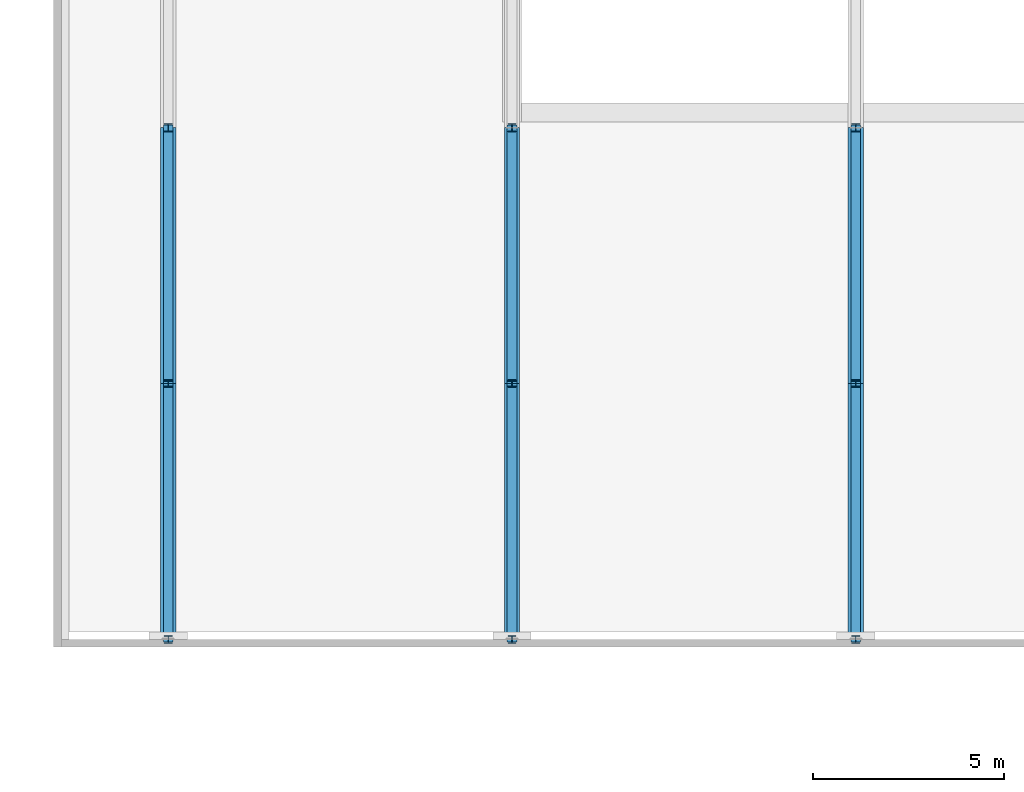
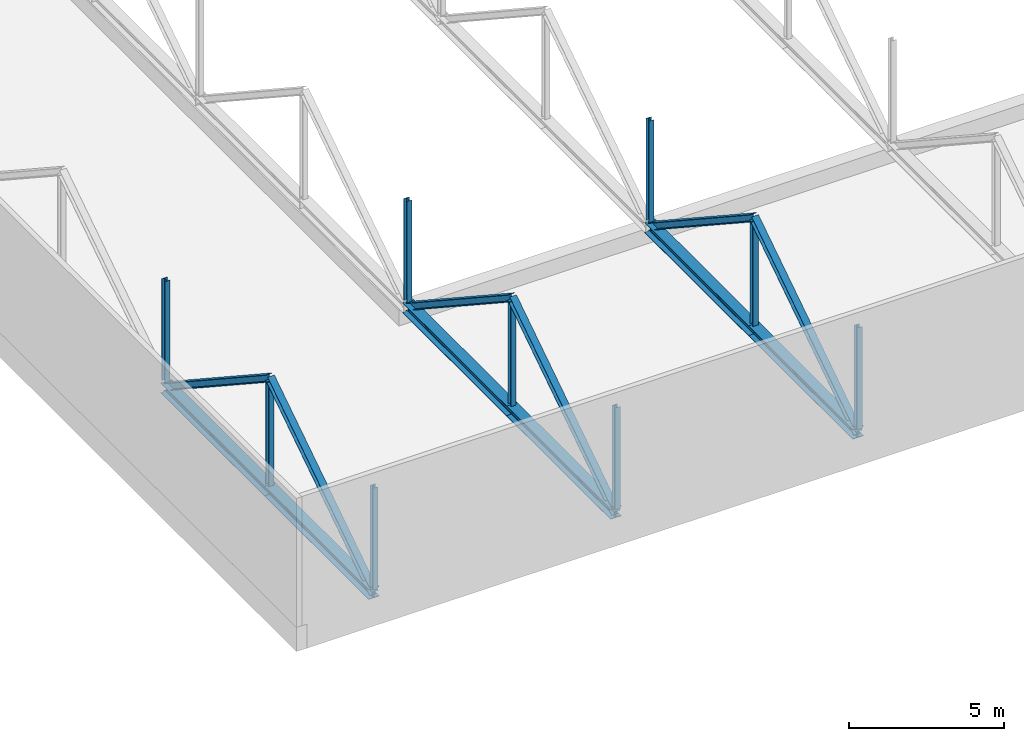
# One storey, part 7 of 49: 21 members.
"""IFC4 building model written with IfcOpenShell, lengths in metres."""

from ifc_helpers import new_model, si_unit, direction, frame, origin, origin_2d, place, context, subcontext, project, spatial, i_section, extrude, material, material_profile, profile_set, type_object, element, save


model = new_model("IFC4")

# Units and contexts
model_context = context("Model", 3, precision=1e-05, world=origin(), true_north=direction((0.0, 1.0)))
body_context = subcontext(model_context, "Body", "Model", "MODEL_VIEW")
ifc_project = project(units=[si_unit("LENGTHUNIT", "METRE"), si_unit("AREAUNIT", "SQUARE_METRE"), si_unit("VOLUMEUNIT", "CUBIC_METRE"), si_unit("PLANEANGLEUNIT", "RADIAN"), si_unit("MASSUNIT", "GRAM", prefix="KILO")], contexts=[model_context])

# Site, building, storey
site_placement = place(None, origin())
site = spatial("IfcSite", under=ifc_project, at=site_placement, CompositionType="ELEMENT")
building_placement = place(site_placement, origin())
building = spatial("IfcBuilding", under=site, at=building_placement, Name="Hunhe Ridgeline Campus", CompositionType="ELEMENT")
storey_placement = place(building_placement, frame((0.0, 0.0, 21.60009765625)))
storey = spatial("IfcBuildingStorey", under=building, at=storey_placement, Name="L04", CompositionType="ELEMENT", Elevation=21.60009765625)

# Members
ifc_material = material(Name="Steel Q355", Category="steel")
ifc_material_profile_1 = material_profile(ifc_material, i_section(OverallWidth=0.39990234375, OverallDepth=0.39990234375, WebThickness=0.012939453125, FlangeThickness=0.02099609375, FilletRadius=0.02197265625, at=origin_2d()))
ifc_profile_set_1 = profile_set([ifc_material_profile_1], Name="Steel Q355")
member_type_1 = type_object("IfcMemberType", Name="Roof truss chord HW400x400x13x21 Q355", PredefinedType="CHORD", material=ifc_profile_set_1)
member_1_placement = place(storey_placement, frame((153.0, 22.699951171875, 0.789794921875), z_axis=(0.0, 1.0, 0.0), x_axis=(-1.0, 0.0, 0.0)))
element("IfcMember", 1, at=member_1_placement, inside=storey, type_object=member_type_1, Name="Roof truss 1 bottom chord 1", PredefinedType="CHORD", context=body_context, shape_type="SweptSolid", body=[
    extrude(i_section(OverallWidth=0.39990234375, OverallDepth=0.39990234375, WebThickness=0.012939453125, FlangeThickness=0.02099609375, FilletRadius=0.02197265625, at=origin_2d()), origin(), (0.0, 0.0, 1.0), 6.699951171875),
])
member_2_placement = place(storey_placement, frame((153.0, 29.39990234375, 0.789794921875), z_axis=(0.0, 1.0, 0.0), x_axis=(-1.0, 0.0, 0.0)))
element("IfcMember", 2, at=member_2_placement, inside=storey, type_object=member_type_1, Name="Roof truss 1 bottom chord 2", PredefinedType="CHORD", context=body_context, shape_type="SweptSolid", body=[
    extrude(i_section(OverallWidth=0.39990234375, OverallDepth=0.39990234375, WebThickness=0.012939453125, FlangeThickness=0.02099609375, FilletRadius=0.02197265625, at=origin_2d()), origin(), (0.0, 0.0, 1.0), 6.7001953125),
])
member_3_placement = place(storey_placement, frame((162.0, 22.699951171875, 0.789794921875), z_axis=(0.0, 1.0, 0.0), x_axis=(-1.0, 0.0, 0.0)))
element("IfcMember", 3, at=member_3_placement, inside=storey, type_object=member_type_1, Name="Roof truss 2 bottom chord 1", PredefinedType="CHORD", context=body_context, shape_type="SweptSolid", body=[
    extrude(i_section(OverallWidth=0.39990234375, OverallDepth=0.39990234375, WebThickness=0.012939453125, FlangeThickness=0.02099609375, FilletRadius=0.02197265625, at=origin_2d()), origin(), (0.0, 0.0, 1.0), 6.699951171875),
])
member_4_placement = place(storey_placement, frame((162.0, 29.39990234375, 0.789794921875), z_axis=(0.0, 1.0, 0.0), x_axis=(-1.0, 0.0, 0.0)))
element("IfcMember", 4, at=member_4_placement, inside=storey, type_object=member_type_1, Name="Roof truss 2 bottom chord 2", PredefinedType="CHORD", context=body_context, shape_type="SweptSolid", body=[
    extrude(i_section(OverallWidth=0.39990234375, OverallDepth=0.39990234375, WebThickness=0.012939453125, FlangeThickness=0.02099609375, FilletRadius=0.02197265625, at=origin_2d()), origin(), (0.0, 0.0, 1.0), 6.7001953125),
])
member_5_placement = place(storey_placement, frame((171.0, 22.699951171875, 0.789794921875), z_axis=(0.0, 1.0, 0.0), x_axis=(-1.0, 0.0, 0.0)))
element("IfcMember", 5, at=member_5_placement, inside=storey, type_object=member_type_1, Name="Roof truss 3 bottom chord 1", PredefinedType="CHORD", context=body_context, shape_type="SweptSolid", body=[
    extrude(i_section(OverallWidth=0.39990234375, OverallDepth=0.39990234375, WebThickness=0.012939453125, FlangeThickness=0.02099609375, FilletRadius=0.02197265625, at=origin_2d()), origin(), (0.0, 0.0, 1.0), 6.699951171875),
])
member_6_placement = place(storey_placement, frame((171.0, 29.39990234375, 0.789794921875), z_axis=(0.0, 1.0, 0.0), x_axis=(-1.0, 0.0, 0.0)))
element("IfcMember", 6, at=member_6_placement, inside=storey, type_object=member_type_1, Name="Roof truss 3 bottom chord 2", PredefinedType="CHORD", context=body_context, shape_type="SweptSolid", body=[
    extrude(i_section(OverallWidth=0.39990234375, OverallDepth=0.39990234375, WebThickness=0.012939453125, FlangeThickness=0.02099609375, FilletRadius=0.02197265625, at=origin_2d()), origin(), (0.0, 0.0, 1.0), 6.7001953125),
])
ifc_material_profile_2 = material_profile(ifc_material, i_section(OverallWidth=0.25, OverallDepth=0.25, WebThickness=0.009033203125, FlangeThickness=0.013916015625, FilletRadius=0.012939453125, at=origin_2d()))
ifc_profile_set_2 = profile_set([ifc_material_profile_2], Name="Steel Q355")
member_type_2 = type_object("IfcMemberType", Name="Roof truss diagonal HW250x250x9x14 Q355", PredefinedType="BRACE", material=ifc_profile_set_2)
member_7_placement = place(storey_placement, frame((153.0, 22.699951171875, 0.789794921875), z_axis=(0.0, 0.835858813721, 0.548944481277), x_axis=(-1.0, 0.0, 0.0)))
element("IfcMember", 7, at=member_7_placement, inside=storey, type_object=member_type_2, Name="Roof truss 1 diagonal 1", PredefinedType="BRACE", context=body_context, shape_type="SweptSolid", body=[
    extrude(i_section(OverallWidth=0.25, OverallDepth=0.25, WebThickness=0.009033203125, FlangeThickness=0.013916015625, FilletRadius=0.012939453125, at=origin_2d()), origin(), (0.0, 0.0, 1.0), 8.015625),
])
member_8_placement = place(storey_placement, frame((153.0, 29.39990234375, 5.18994140625), z_axis=(0.0, 0.835867991585, -0.548930506207), x_axis=(-1.0, 0.0, 0.0)))
element("IfcMember", 8, at=member_8_placement, inside=storey, type_object=member_type_2, Name="Roof truss 1 diagonal 2", PredefinedType="BRACE", context=body_context, shape_type="SweptSolid", body=[
    extrude(i_section(OverallWidth=0.25, OverallDepth=0.25, WebThickness=0.009033203125, FlangeThickness=0.013916015625, FilletRadius=0.012939453125, at=origin_2d()), origin(), (0.0, 0.0, 1.0), 8.015869140625),
])
member_9_placement = place(storey_placement, frame((162.0, 22.699951171875, 0.789794921875), z_axis=(0.0, 0.835858813721, 0.548944481277), x_axis=(-1.0, 0.0, 0.0)))
element("IfcMember", 9, at=member_9_placement, inside=storey, type_object=member_type_2, Name="Roof truss 2 diagonal 1", PredefinedType="BRACE", context=body_context, shape_type="SweptSolid", body=[
    extrude(i_section(OverallWidth=0.25, OverallDepth=0.25, WebThickness=0.009033203125, FlangeThickness=0.013916015625, FilletRadius=0.012939453125, at=origin_2d()), origin(), (0.0, 0.0, 1.0), 8.015625),
])
member_10_placement = place(storey_placement, frame((162.0, 29.39990234375, 5.18994140625), z_axis=(0.0, 0.835867991585, -0.548930506207), x_axis=(-1.0, 0.0, 0.0)))
element("IfcMember", 10, at=member_10_placement, inside=storey, type_object=member_type_2, Name="Roof truss 2 diagonal 2", PredefinedType="BRACE", context=body_context, shape_type="SweptSolid", body=[
    extrude(i_section(OverallWidth=0.25, OverallDepth=0.25, WebThickness=0.009033203125, FlangeThickness=0.013916015625, FilletRadius=0.012939453125, at=origin_2d()), origin(), (0.0, 0.0, 1.0), 8.015869140625),
])
member_11_placement = place(storey_placement, frame((171.0, 22.699951171875, 0.789794921875), z_axis=(0.0, 0.835858813721, 0.548944481277), x_axis=(-1.0, 0.0, 0.0)))
element("IfcMember", 11, at=member_11_placement, inside=storey, type_object=member_type_2, Name="Roof truss 3 diagonal 1", PredefinedType="BRACE", context=body_context, shape_type="SweptSolid", body=[
    extrude(i_section(OverallWidth=0.25, OverallDepth=0.25, WebThickness=0.009033203125, FlangeThickness=0.013916015625, FilletRadius=0.012939453125, at=origin_2d()), origin(), (0.0, 0.0, 1.0), 8.015625),
])
member_12_placement = place(storey_placement, frame((171.0, 29.39990234375, 5.18994140625), z_axis=(0.0, 0.835867991585, -0.548930506207), x_axis=(-1.0, 0.0, 0.0)))
element("IfcMember", 12, at=member_12_placement, inside=storey, type_object=member_type_2, Name="Roof truss 3 diagonal 2", PredefinedType="BRACE", context=body_context, shape_type="SweptSolid", body=[
    extrude(i_section(OverallWidth=0.25, OverallDepth=0.25, WebThickness=0.009033203125, FlangeThickness=0.013916015625, FilletRadius=0.012939453125, at=origin_2d()), origin(), (0.0, 0.0, 1.0), 8.015869140625),
])
ifc_material_profile_3 = material_profile(ifc_material, i_section(OverallWidth=0.199951171875, OverallDepth=0.199951171875, WebThickness=0.008056640625, FlangeThickness=0.011962890625, FilletRadius=0.012939453125, at=origin_2d()))
ifc_profile_set_3 = profile_set([ifc_material_profile_3], Name="Steel Q355")
member_type_3 = type_object("IfcMemberType", Name="Roof truss post HW200x200x8x12 Q355", PredefinedType="POST", material=ifc_profile_set_3)
for number, where, z_axis, x_axis, name in (
    (13, (153.0, 22.699951171875, 0.989990234375), (0.0, 0.0, 1.0), (1.0, 0.0, 0.0), "Roof truss 1 post 0"),
    (14, (153.0, 29.39990234375, 0.989990234375), (0.0, 0.0, 1.0), (1.0, 0.0, 0.0), "Roof truss 1 post 1"),
    (15, (153.0, 36.10009765625, 0.989990234375), (0.0, 0.0, 1.0), (1.0, 0.0, 0.0), "Roof truss 1 post 2"),
    (16, (162.0, 22.699951171875, 0.989990234375), (0.0, 0.0, 1.0), (1.0, 0.0, 0.0), "Roof truss 2 post 0"),
    (17, (162.0, 29.39990234375, 0.989990234375), (0.0, 0.0, 1.0), (1.0, 0.0, 0.0), "Roof truss 2 post 1"),
    (18, (162.0, 36.10009765625, 0.989990234375), (0.0, 0.0, 1.0), (1.0, 0.0, 0.0), "Roof truss 2 post 2"),
    (19, (171.0, 22.699951171875, 0.989990234375), (0.0, 0.0, 1.0), (1.0, 0.0, 0.0), "Roof truss 3 post 0"),
    (20, (171.0, 29.39990234375, 0.989990234375), (0.0, 0.0, 1.0), (1.0, 0.0, 0.0), "Roof truss 3 post 1"),
    (21, (171.0, 36.10009765625, 0.989990234375), (0.0, 0.0, 1.0), (1.0, 0.0, 0.0), "Roof truss 3 post 2"),
):
    element("IfcMember", number, at=place(storey_placement, frame(where, z_axis=z_axis, x_axis=x_axis)), inside=storey, type_object=member_type_3, Name=name, PredefinedType="POST", context=body_context, shape_type="SweptSolid", body=[
        extrude(i_section(OverallWidth=0.199951171875, OverallDepth=0.199951171875, WebThickness=0.008056640625, FlangeThickness=0.011962890625, FilletRadius=0.012939453125, at=origin_2d()), origin(), (0.0, 0.0, 1.0), 4.0),
    ])

save(model, "model.ifc")
